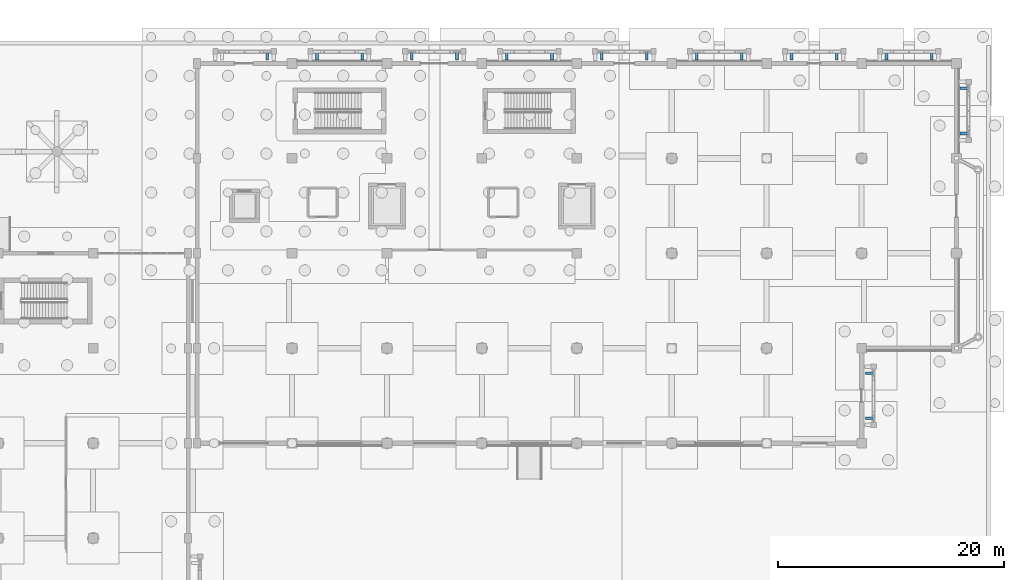
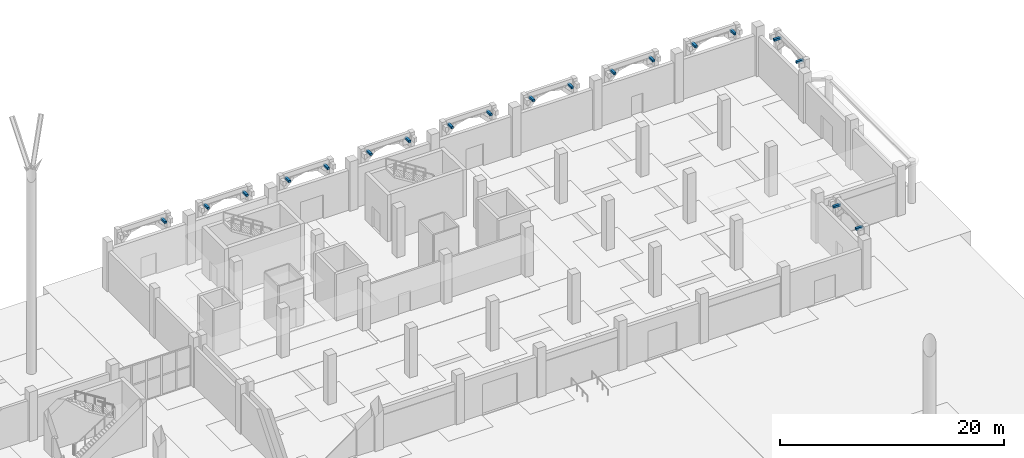
# One storey, part 77 of 98: 19 discrete accessories.
"""IFC4 building model written with IfcOpenShell, lengths in metres."""

import ifcopenshell
import ifcopenshell.guid

model = None  # the IFC model being written
_history = None  # IfcOwnerHistory: only IFC2X3 demands one
_inside = {}  # id of a spatial element -> (the spatial element, [elements in it])
_under = {}  # id of a project, library or spatial element -> (it, [spatial elements below it])
_declared = {}  # id of a project -> (the project, [libraries it declares])
_typed = {}  # id of a type object -> (the type object, [elements of that type])
_made_of = {}  # id of a material, layer set ... -> (it, [elements and type objects made of it])


def new_model(schema):
    """Start an empty IFC model of exactly this schema.

    Asked for "IFC4X3", IfcOpenShell would pick the latest addendum, in which some entities
    have other attributes; the version numbers below select the first issue.
    IFC2X3 requires an IfcOwnerHistory on every rooted entity: one is made here for all.
    """
    global model, _history
    if schema == "IFC4X3":
        model = ifcopenshell.file(schema_version=(4, 3, 0, 0))
    else:
        model = ifcopenshell.file(schema=schema)
    _inside.clear()
    _under.clear()
    _declared.clear()
    _typed.clear()
    _made_of.clear()
    _history = None
    if model.schema == "IFC2X3":
        org = make("IfcOrganization", Name="unknown")
        user = make(
            "IfcPersonAndOrganization",
            ThePerson=make("IfcPerson", FamilyName="unknown"),
            TheOrganization=org,
        )
        app = make(
            "IfcApplication",
            ApplicationDeveloper=org,
            Version="unknown",
            ApplicationFullName="unknown",
            ApplicationIdentifier="unknown",
        )
        _history = make(
            "IfcOwnerHistory",
            OwningUser=user,
            OwningApplication=app,
            ChangeAction="ADDED",
            CreationDate=0,
        )
    return model


def make(cls, **values):
    """One entity of the class cls with the attributes given. An attribute that is None is left unset."""
    return model.create_entity(
        cls, **{name: value for name, value in values.items() if value is not None}
    )


def rooted(cls, **values):
    """An entity with a GlobalId (a new one), such as an element, a storey or a relation."""
    return make(cls, GlobalId=ifcopenshell.guid.new(), OwnerHistory=_history, **values)


def si_unit(unit_type, name, prefix=None):
    """IfcSIUnit, for example si_unit("LENGTHUNIT", "METRE", prefix="MILLI")."""
    return make("IfcSIUnit", UnitType=unit_type, Prefix=prefix, Name=name)


def assignment(units):
    """IfcUnitAssignment: the units of a project."""
    return None if units is None else make("IfcUnitAssignment", Units=units)


def point(xyz):
    """IfcCartesianPoint."""
    return None if xyz is None else make("IfcCartesianPoint", Coordinates=xyz)


def direction(xyz):
    """IfcDirection."""
    return None if xyz is None else make("IfcDirection", DirectionRatios=xyz)


def frame(location, z_axis=None, x_axis=None):
    """IfcAxis2Placement3D, a coordinate frame: its origin and axes. An axis left out is left unset."""
    return make(
        "IfcAxis2Placement3D",
        Location=point(location),
        Axis=direction(z_axis),
        RefDirection=direction(x_axis),
    )


def frame_2d(location, x_axis=None):
    """IfcAxis2Placement2D, a coordinate frame in the plane: its origin and x axis."""
    return make(
        "IfcAxis2Placement2D", Location=point(location), RefDirection=direction(x_axis)
    )


def origin():
    """The frame at (0, 0, 0) with its axes left unset."""
    return frame((0.0, 0.0, 0.0))


def origin_2d():
    """The frame at (0, 0) in the plane with its x axis left unset."""
    return frame_2d((0.0, 0.0))


def place(relative_to, where):
    """IfcLocalPlacement: puts the frame where relative to a parent placement (None: the world)."""
    return make(
        "IfcLocalPlacement", PlacementRelTo=relative_to, RelativePlacement=where
    )


def context(
    kind, dimensions, precision=None, world=None, true_north=None, identifier=None
):
    """IfcGeometricRepresentationContext, for example the 3D "Model" context."""
    return make(
        "IfcGeometricRepresentationContext",
        ContextIdentifier=identifier,
        ContextType=kind,
        CoordinateSpaceDimension=dimensions,
        Precision=precision,
        WorldCoordinateSystem=world,
        TrueNorth=true_north,
    )


def subcontext(parent, identifier, kind, view, scale=None):
    """IfcGeometricRepresentationSubContext, for example "Body" below "Model"."""
    return make(
        "IfcGeometricRepresentationSubContext",
        ContextIdentifier=identifier,
        ContextType=kind,
        ParentContext=parent,
        TargetScale=scale,
        TargetView=view,
    )


def project(units=None, contexts=None):
    """IfcProject with its units and contexts."""
    return rooted(
        "IfcProject",
        Name="project",
        RepresentationContexts=contexts,
        UnitsInContext=assignment(units),
    )


def spatial(cls, under=None, at=None, **own):
    """A site, building, storey or space (cls), placed at a placement, below another one or the project."""
    s = rooted(cls, ObjectPlacement=at, **own)
    if under is not None:
        _under.setdefault(under.id(), (under, []))[1].append(s)
    return s


def profile(cls, at=None, kind="AREA", **sizes):
    """A parametric profile (cls). Its sizes go by their IFC names, for example OverallWidth=200.0."""
    return make(cls, ProfileType=kind, Position=at, **sizes)


def rectangle(**sizes):
    """IfcRectangleProfileDef."""
    return profile("IfcRectangleProfileDef", **sizes)


def extrude(swept, where, along, depth):
    """IfcExtrudedAreaSolid: the profile swept, set in the frame where, extruded along a direction by depth."""
    return make(
        "IfcExtrudedAreaSolid",
        SweptArea=swept,
        Position=where,
        ExtrudedDirection=direction(along),
        Depth=depth,
    )


def shape(context_of_items, identifier, shape_type, items):
    """IfcShapeRepresentation: the items that make up one representation, for example the "Body"."""
    return make(
        "IfcShapeRepresentation",
        ContextOfItems=context_of_items,
        RepresentationIdentifier=identifier,
        RepresentationType=shape_type,
        Items=items,
    )


def material(Name=None, Category=None):
    """IfcMaterial."""
    return make("IfcMaterial", Name=Name, Category=Category)


def made_of(thing, what):
    """Note that an element or type object is made of a material, layer set ...; save() writes the relation."""
    if what is not None:
        _made_of.setdefault(what.id(), (what, []))[1].append(thing)
    return thing


def type_object(cls, material=None, **own):
    """A type object (cls), such as IfcWallType, which elements share."""
    return made_of(rooted(cls, **own), material)


def element(
    cls,
    number,
    at=None,
    inside=None,
    cuts=None,
    type_object=None,
    material=None,
    context=None,
    identifier="Body",
    shape_type=None,
    held_by="IfcProductDefinitionShape",
    body=None,
    shapes=None,
    **own,
):
    """One element of the class cls, such as IfcWall. Its Tag is "e" and its number.

    at: its placement. inside: the storey or other place that contains it. cuts: it is an
    opening in that element (IfcRelVoidsElement). A single representation is given by context,
    identifier, shape_type and body (its items); several are given by shapes. held_by: the class
    of the entity that holds the representations. save() writes the other relations.
    """
    e = rooted(cls, Tag="e%d" % number, ObjectPlacement=at, **own)
    if body is not None:
        shapes = [shape(context, identifier, shape_type, body)]
    if shapes is not None:
        e.Representation = make(held_by, Representations=shapes)
    if inside is not None:
        _inside.setdefault(inside.id(), (inside, []))[1].append(e)
    if cuts is not None:
        rooted(
            "IfcRelVoidsElement", RelatingBuildingElement=cuts, RelatedOpeningElement=e
        )
    if type_object is not None:
        _typed.setdefault(type_object.id(), (type_object, []))[1].append(e)
    return made_of(e, material)


def aggregate(whole, parts):
    """IfcRelAggregates: a whole, such as a stair, and the parts it consists of."""
    return rooted("IfcRelAggregates", RelatingObject=whole, RelatedObjects=parts)


def save(model, path):
    """Write the relations noted so far, then the file.

    IfcRelAggregates (storeys below a building ...), IfcRelContainedInSpatialStructure (elements
    in a storey), IfcRelDefinesByType, IfcRelAssociatesMaterial and IfcRelDeclares: one each for
    every whole, place, type object, material and project.
    """
    for whole, parts in _under.values():
        aggregate(whole, parts)
    for where, things in _inside.values():
        rooted(
            "IfcRelContainedInSpatialStructure",
            RelatedElements=things,
            RelatingStructure=where,
        )
    for kind, things in _typed.values():
        rooted("IfcRelDefinesByType", RelatedObjects=things, RelatingType=kind)
    for what, things in _made_of.values():
        rooted("IfcRelAssociatesMaterial", RelatedObjects=things, RelatingMaterial=what)
    for by, libraries in _declared.values():
        rooted("IfcRelDeclares", RelatingContext=by, RelatedDefinitions=libraries)
    model.write(path)


model = new_model("IFC4")

# Units and contexts
model_context = context("Model", 3, precision=1e-05, world=origin(), true_north=direction((0.0, 1.0)))
body_context = subcontext(model_context, "Body", "Model", "MODEL_VIEW")
ifc_project = project(units=[si_unit("LENGTHUNIT", "METRE"), si_unit("AREAUNIT", "SQUARE_METRE"), si_unit("VOLUMEUNIT", "CUBIC_METRE"), si_unit("PLANEANGLEUNIT", "RADIAN"), si_unit("MASSUNIT", "GRAM", prefix="KILO")], contexts=[model_context])

# Site, building, storey
site_placement = place(None, origin())
site = spatial("IfcSite", under=ifc_project, at=site_placement, CompositionType="ELEMENT")
building_placement = place(site_placement, origin())
building = spatial("IfcBuilding", under=site, at=building_placement, Name="Xazarin Passage Department Store", CompositionType="ELEMENT")
storey_placement = place(building_placement, origin())
storey = spatial("IfcBuildingStorey", under=building, at=storey_placement, Name="L00", CompositionType="ELEMENT", Elevation=0.0)

# Discrete accessories
ifc_material = material(Name="Steel S355", Category="steel")
discrete_accessory_type = type_object("IfcDiscreteAccessoryType", Name="ARC-BRK-S355-A", PredefinedType="BRACKET", material=ifc_material)
for number, where, z_axis, x_axis, name in (
    (1, (108.60009765625, 110.699951171875, 4.740234375), (0.0, 0.0, 1.0), (1.0, 0.0, 0.0), "L00 V4 Spandrel Tie Bracket 0290"),
    (2, (113.0, 110.699951171875, 4.740234375), (0.0, 0.0, 1.0), (1.0, 0.0, 0.0), "L00 V4 Spandrel Tie Bracket 0297"),
    (3, (117.0, 110.699951171875, 4.740234375), (0.0, 0.0, 1.0), (1.0, 0.0, 0.0), "L00 V4 Spandrel Tie Bracket 0298"),
    (4, (121.39990234375, 110.699951171875, 4.740234375), (0.0, 0.0, 1.0), (1.0, 0.0, 0.0), "L00 V4 Spandrel Tie Bracket 0305"),
    (5, (125.39990234375, 110.699951171875, 4.740234375), (0.0, 0.0, 1.0), (1.0, 0.0, 0.0), "L00 V4 Spandrel Tie Bracket 0306"),
    (6, (129.800048828125, 110.699951171875, 4.740234375), (0.0, 0.0, 1.0), (1.0, 0.0, 0.0), "L00 V4 Spandrel Tie Bracket 0313"),
    (7, (133.800048828125, 110.699951171875, 4.740234375), (0.0, 0.0, 1.0), (1.0, 0.0, 0.0), "L00 V4 Spandrel Tie Bracket 0314"),
    (8, (138.199951171875, 110.699951171875, 4.740234375), (0.0, 0.0, 1.0), (1.0, 0.0, 0.0), "L00 V4 Spandrel Tie Bracket 0321"),
    (9, (142.199951171875, 110.699951171875, 4.740234375), (0.0, 0.0, 1.0), (1.0, 0.0, 0.0), "L00 V4 Spandrel Tie Bracket 0322"),
    (10, (146.60009765625, 110.699951171875, 4.740234375), (0.0, 0.0, 1.0), (1.0, 0.0, 0.0), "L00 V4 Spandrel Tie Bracket 0329"),
    (11, (150.60009765625, 110.699951171875, 4.740234375), (0.0, 0.0, 1.0), (1.0, 0.0, 0.0), "L00 V4 Spandrel Tie Bracket 0330"),
    (12, (155.0, 110.699951171875, 4.740234375), (0.0, 0.0, 1.0), (1.0, 0.0, 0.0), "L00 V4 Spandrel Tie Bracket 0333"),
    (13, (159.0, 110.699951171875, 4.740234375), (0.0, 0.0, 1.0), (1.0, 0.0, 0.0), "L00 V4 Spandrel Tie Bracket 0334"),
    (14, (163.39990234375, 110.699951171875, 4.740234375), (0.0, 0.0, 1.0), (1.0, 0.0, 0.0), "L00 V4 Spandrel Tie Bracket 0337"),
    (15, (167.39990234375, 110.699951171875, 4.740234375), (0.0, 0.0, 1.0), (1.0, 0.0, 0.0), "L00 V4 Spandrel Tie Bracket 0338"),
    (16, (161.89990234375, 78.60009765625, 4.740234375), (0.0, 0.0, 1.0), (0.0, 1.0, 0.0), "L00 V4 Spandrel Tie Bracket 0341"),
    (17, (161.89990234375, 82.60009765625, 4.740234375), (0.0, 0.0, 1.0), (0.0, 1.0, 0.0), "L00 V4 Spandrel Tie Bracket 0342"),
    (18, (170.300048828125, 103.800048828125, 4.740234375), (0.0, 0.0, 1.0), (0.0, 1.0, 0.0), "L00 V4 Spandrel Tie Bracket 0343"),
    (19, (170.300048828125, 107.800048828125, 4.740234375), (0.0, 0.0, 1.0), (0.0, 1.0, 0.0), "L00 V4 Spandrel Tie Bracket 0344"),
):
    element("IfcDiscreteAccessory", number, at=place(storey_placement, frame(where, z_axis=z_axis, x_axis=x_axis)), inside=storey, type_object=discrete_accessory_type, Name=name, PredefinedType="BRACKET", context=body_context, shape_type="SweptSolid", body=[
        extrude(rectangle(XDim=0.239990234375, YDim=0.75, at=origin_2d()), origin(), (0.0, 0.0, 1.0), 0.219970703125),
    ])

save(model, "model.ifc")
